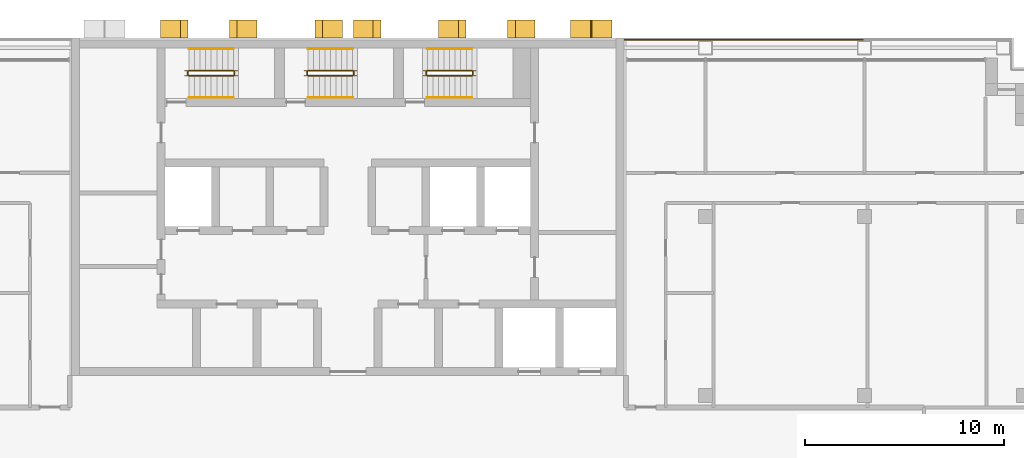
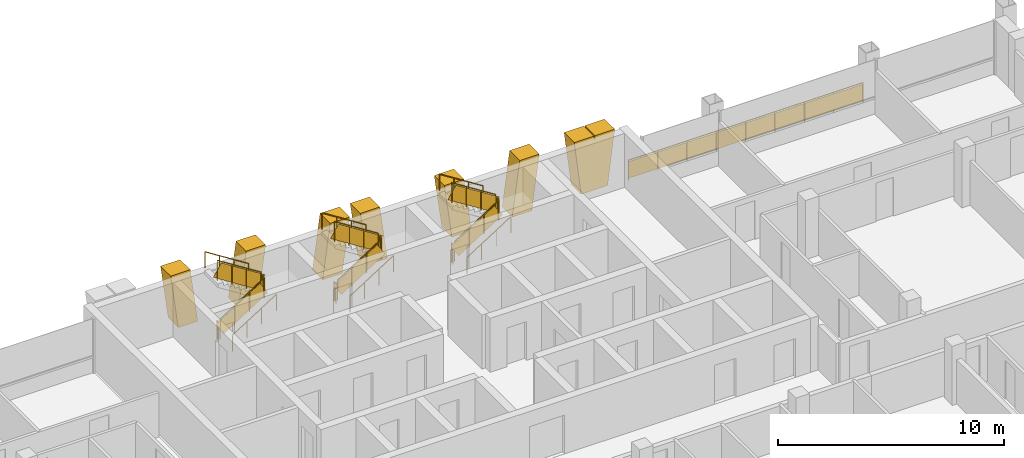
# One storey, part 15 of 16: 19 railings, 7 shading devices.
"""IFC4 building model written with IfcOpenShell, lengths in metres."""

from ifc_helpers import new_model, si_unit, direction, frame, origin, origin_2d, place, context, subcontext, project, spatial, polyline, rectangle, circle, outline, extrude, material, layer, layer_set, type_object, element, save


model = new_model("IFC4")

# Units and contexts
model_context = context("Model", 3, precision=1e-05, world=origin(), true_north=direction((0.0, 1.0)))
body_context = subcontext(model_context, "Body", "Model", "MODEL_VIEW")
ifc_project = project(units=[si_unit("LENGTHUNIT", "METRE"), si_unit("AREAUNIT", "SQUARE_METRE"), si_unit("VOLUMEUNIT", "CUBIC_METRE"), si_unit("PLANEANGLEUNIT", "RADIAN"), si_unit("MASSUNIT", "GRAM", prefix="KILO")], contexts=[model_context])

# Site, building, storey
site_placement = place(None, origin())
site = spatial("IfcSite", under=ifc_project, at=site_placement, CompositionType="ELEMENT")
building_placement = place(site_placement, origin())
building = spatial("IfcBuilding", under=site, at=building_placement, Name="Vidyagriha Tower", CompositionType="ELEMENT")
storey_placement = place(building_placement, frame((0.0, 0.0, 178.10009765625)))
storey = spatial("IfcBuildingStorey", under=building, at=storey_placement, Name="L46", CompositionType="ELEMENT", Elevation=178.10009765625)

# Shading devices
ifc_material_1 = material(Name="Precast concrete C40/50 with brick facing", Category="concrete")
ifc_layer_1 = layer(ifc_material_1, 1.0)
ifc_layer_set_1 = layer_set([ifc_layer_1], Name="Precast concrete C40/50 with brick facing")
shading_device_type_1 = type_object("IfcShadingDeviceType", Name="Brick-faced rear rib arm leaning 8 degrees", PredefinedType="USERDEFINED", material=ifc_layer_set_1)
shading_device_1_placement = place(storey_placement, frame((5.95703125, 20.449951171875, 0.0), z_axis=(0.0, 0.0, 1.0), x_axis=(-1.0, 0.0, 0.0)))
element("IfcShadingDevice", 1, at=shading_device_1_placement, inside=storey, type_object=shading_device_type_1, Name="Rear rib arm L46 R08.2a", ObjectType="BLADE FIN", PredefinedType="USERDEFINED", context=body_context, shape_type="SweptSolid", body=[
    extrude(outline(polyline([(0.0, 0.0), (1.0, 0.0), (1.3857421875, 2.919921875), (0.3857421875, 2.919921875), (0.0, 0.0)])), frame((0.0, 0.449951171875, 0.0), z_axis=(0.0, -1.0, 0.0), x_axis=(1.0, 0.0, 0.0)), (0.0, 0.0, 1.0), 0.89990234375),
])
shading_device_2_placement = place(storey_placement, frame((9.4287109375, 20.449951171875, 0.0), z_axis=(0.0, 0.0, 1.0), x_axis=(-1.0, 0.0, 0.0)))
element("IfcShadingDevice", 2, at=shading_device_2_placement, inside=storey, type_object=shading_device_type_1, Name="Rear rib arm L46 R08.2b", ObjectType="BLADE FIN", PredefinedType="USERDEFINED", context=body_context, shape_type="SweptSolid", body=[
    extrude(outline(polyline([(0.3857421875, 0.0), (1.3857421875, 0.0), (1.0, 2.919921875), (0.0, 2.919921875), (0.3857421875, 0.0)])), frame((0.0, 0.449951171875, 0.0), z_axis=(0.0, -1.0, 0.0), x_axis=(1.0, 0.0, 0.0)), (0.0, 0.0, 1.0), 0.89990234375),
])
shading_device_3_placement = place(storey_placement, frame((1.656982421875, 20.449951171875, 0.0), z_axis=(0.0, 0.0, 1.0), x_axis=(-1.0, 0.0, 0.0)))
element("IfcShadingDevice", 3, at=shading_device_3_placement, inside=storey, type_object=shading_device_type_1, Name="Rear rib arm L46 R08.3a", ObjectType="BLADE FIN", PredefinedType="USERDEFINED", context=body_context, shape_type="SweptSolid", body=[
    extrude(outline(polyline([(0.0, 0.0), (1.0, 0.0), (1.3857421875, 2.919921875), (0.3857421875, 2.919921875), (0.0, 0.0)])), frame((0.0, 0.449951171875, 0.0), z_axis=(0.0, -1.0, 0.0), x_axis=(1.0, 0.0, 0.0)), (0.0, 0.0, 1.0), 0.89990234375),
])
shading_device_4_placement = place(storey_placement, frame((-0.271484375, 20.449951171875, 0.0), z_axis=(0.0, 0.0, 1.0), x_axis=(-1.0, 0.0, 0.0)))
element("IfcShadingDevice", 4, at=shading_device_4_placement, inside=storey, type_object=shading_device_type_1, Name="Rear rib arm L46 R08.3b", ObjectType="BLADE FIN", PredefinedType="USERDEFINED", context=body_context, shape_type="SweptSolid", body=[
    extrude(outline(polyline([(0.3857421875, 0.0), (1.3857421875, 0.0), (1.0, 2.919921875), (0.0, 2.919921875), (0.3857421875, 0.0)])), frame((0.0, 0.449951171875, 0.0), z_axis=(0.0, -1.0, 0.0), x_axis=(1.0, 0.0, 0.0)), (0.0, 0.0, 1.0), 0.89990234375),
])
shading_device_5_placement = place(storey_placement, frame((-8.04296875, 20.449951171875, 0.0), z_axis=(0.0, 0.0, 1.0), x_axis=(-1.0, 0.0, 0.0)))
element("IfcShadingDevice", 5, at=shading_device_5_placement, inside=storey, type_object=shading_device_type_1, Name="Rear rib arm L46 R08.4a", ObjectType="BLADE FIN", PredefinedType="USERDEFINED", context=body_context, shape_type="SweptSolid", body=[
    extrude(outline(polyline([(0.0, 0.0), (1.0, 0.0), (1.3857421875, 2.919921875), (0.3857421875, 2.919921875), (0.0, 0.0)])), frame((0.0, 0.449951171875, 0.0), z_axis=(0.0, -1.0, 0.0), x_axis=(1.0, 0.0, 0.0)), (0.0, 0.0, 1.0), 0.89990234375),
])
shading_device_6_placement = place(storey_placement, frame((-4.5712890625, 20.449951171875, 0.0), z_axis=(0.0, 0.0, 1.0), x_axis=(-1.0, 0.0, 0.0)))
element("IfcShadingDevice", 6, at=shading_device_6_placement, inside=storey, type_object=shading_device_type_1, Name="Rear rib arm L46 R08.4b", ObjectType="BLADE FIN", PredefinedType="USERDEFINED", context=body_context, shape_type="SweptSolid", body=[
    extrude(outline(polyline([(0.3857421875, 0.0), (1.3857421875, 0.0), (1.0, 2.919921875), (0.0, 2.919921875), (0.3857421875, 0.0)])), frame((0.0, 0.449951171875, 0.0), z_axis=(0.0, -1.0, 0.0), x_axis=(1.0, 0.0, 0.0)), (0.0, 0.0, 1.0), 0.89990234375),
])
ifc_material_2 = material(Name="Precast concrete C40/50 with brick facing", Category="concrete")
ifc_layer_2 = layer(ifc_material_2, 1.0)
ifc_layer_set_2 = layer_set([ifc_layer_2], Name="Precast concrete C40/50 with brick facing")
shading_device_type_2 = type_object("IfcShadingDeviceType", Name="Brick-faced rear rib forking 8 degrees", PredefinedType="USERDEFINED", material=ifc_layer_set_2)
shading_device_7_placement = place(storey_placement, frame((13.28564453125, 20.449951171875, 0.0), z_axis=(0.0, 0.0, 1.0), x_axis=(-1.0, 0.0, 0.0)))
element("IfcShadingDevice", 7, at=shading_device_7_placement, inside=storey, type_object=shading_device_type_2, Name="Rear rib fork L46 R08.1a", ObjectType="BLADE FIN", PredefinedType="USERDEFINED", context=body_context, shape_type="SweptSolid", body=[
    extrude(outline(polyline([(0.357177734375, 0.0), (1.71435546875, 0.0), (2.0712890625, 2.919921875), (1.0712890625, 2.919921875), (1.03564453125, 2.6279296875), (1.0, 2.919921875), (0.0, 2.919921875), (0.357177734375, 0.0)])), frame((0.0, 0.449951171875, 0.0), z_axis=(0.0, -1.0, 0.0), x_axis=(1.0, 0.0, 0.0)), (0.0, 0.0, 1.0), 0.89990234375),
])

# Railings
ifc_material_3 = material(Name="Steel ASTM A500 Grade C black painted", Category="steel")
railing_type_1 = type_object("IfcRailingType", Name="Gallery guard 1100", PredefinedType="GUARDRAIL", material=ifc_material_3)
railing_1_placement = place(storey_placement, frame((13.929931640625, 19.89990234375, 0.0)))
element("IfcRailing", 8, at=railing_1_placement, inside=storey, type_object=railing_type_1, Name="Gallery guard L46 6", PredefinedType="GUARDRAIL", context=body_context, shape_type="SweptSolid", body=[
    extrude(circle(Radius=0.02490234375, at=origin_2d()), frame((0.0, 0.0, 1.0751953125), z_axis=(1.0, 0.0, 0.0), x_axis=(0.0, 1.0, 0.0)), (0.0, 0.0, 1.0), 12.0),
    extrude(circle(Radius=0.02001953125, at=origin_2d()), origin(), (0.0, 0.0, 1.0), 1.050048828125),
    extrude(circle(Radius=0.02001953125, at=origin_2d()), frame((1.5, 0.0, 0.0)), (0.0, 0.0, 1.0), 1.050048828125),
    extrude(circle(Radius=0.02001953125, at=origin_2d()), frame((3.0, 0.0, 0.0)), (0.0, 0.0, 1.0), 1.050048828125),
    extrude(circle(Radius=0.02001953125, at=origin_2d()), frame((4.5, 0.0, 0.0)), (0.0, 0.0, 1.0), 1.050048828125),
    extrude(circle(Radius=0.02001953125, at=origin_2d()), frame((6.0, 0.0, 0.0)), (0.0, 0.0, 1.0), 1.050048828125),
    extrude(circle(Radius=0.02001953125, at=origin_2d()), frame((7.5, 0.0, 0.0)), (0.0, 0.0, 1.0), 1.050048828125),
    extrude(circle(Radius=0.02001953125, at=origin_2d()), frame((9.0, 0.0, 0.0)), (0.0, 0.0, 1.0), 1.050048828125),
    extrude(circle(Radius=0.02001953125, at=origin_2d()), frame((10.5, 0.0, 0.0)), (0.0, 0.0, 1.0), 1.050048828125),
    extrude(circle(Radius=0.02001953125, at=origin_2d()), frame((12.0, 0.0, 0.0)), (0.0, 0.0, 1.0), 1.050048828125),
    extrude(rectangle(XDim=0.010009765625, YDim=0.900146484375, at=origin_2d()), frame((0.0, 0.0, 0.550048828125), z_axis=(1.0, 0.0, 0.0), x_axis=(0.0, 1.0, 0.0)), (0.0, 0.0, 1.0), 12.0),
])
ifc_material_4 = material(Name="Steel ASTM A500 Grade C", Category="steel")
railing_type_2 = type_object("IfcRailingType", Name="Stair guard 1100 mm, steel balustrade", PredefinedType="GUARDRAIL", material=ifc_material_4)
railing_2_placement = place(storey_placement, frame((-8.0, 18.10009765625, 0.177734375)))
element("IfcRailing", 9, at=railing_2_placement, inside=storey, type_object=railing_type_2, Name="L46 ST1 stair guard 1", PredefinedType="GUARDRAIL", context=body_context, shape_type="SweptSolid", body=[
    extrude(circle(Radius=0.02392578125, at=origin_2d()), frame((0.0, 0.0, 1.076171875), z_axis=(0.8442293374, 0.0, 0.53598211339), x_axis=(0.0, 1.0, 0.0)), (0.0, 0.0, 1.0), 2.6533203125),
    extrude(circle(Radius=0.02099609375, at=origin_2d()), origin(), (0.0, 0.0, 1.0), 1.052001953125),
    extrude(circle(Radius=0.02099609375, at=origin_2d()), frame((0.74658203125, 0.0, 0.47412109375)), (0.0, 0.0, 1.0), 1.052001953125),
    extrude(circle(Radius=0.02099609375, at=origin_2d()), frame((1.493408203125, 0.0, 0.947998046875)), (0.0, 0.0, 1.0), 1.052001953125),
    extrude(circle(Radius=0.02099609375, at=origin_2d()), frame((2.239990234375, 0.0, 1.422119140625)), (0.0, 0.0, 1.0), 1.052001953125),
    extrude(rectangle(XDim=0.010009765625, YDim=0.761474609375, at=origin_2d()), frame((0.0, 0.0, 0.551025390625), z_axis=(0.8442293374, 0.0, 0.53598211339), x_axis=(0.0, 1.0, 0.0)), (0.0, 0.0, 1.0), 2.6533203125),
])
railing_3_placement = place(storey_placement, frame((-5.7099609375, 18.14990234375, 1.599853515625)))
element("IfcRailing", 10, at=railing_3_placement, inside=storey, type_object=railing_type_2, Name="L46 ST1 stair guard 2", PredefinedType="GUARDRAIL", context=body_context, shape_type="SweptSolid", body=[
    extrude(circle(Radius=0.02392578125, at=origin_2d()), frame((0.0, 0.0, 1.076171875), z_axis=(0.0, 1.0, 0.0), x_axis=(-1.0, 0.0, 0.0)), (0.0, 0.0, 1.0), 0.150146484375),
    extrude(circle(Radius=0.02099609375, at=origin_2d()), origin(), (0.0, 0.0, 1.0), 1.052001953125),
    extrude(circle(Radius=0.02099609375, at=origin_2d()), frame((0.0, 0.150146484375, 0.0)), (0.0, 0.0, 1.0), 1.052001953125),
    extrude(rectangle(XDim=0.010009765625, YDim=0.902099609375, at=origin_2d()), frame((0.0, 0.0, 0.551025390625), z_axis=(0.0, 1.0, 0.0), x_axis=(-1.0, 0.0, 0.0)), (0.0, 0.0, 1.0), 0.150146484375),
])
railing_4_placement = place(storey_placement, frame((-5.760009765625, 18.35009765625, 1.777587890625)))
element("IfcRailing", 11, at=railing_4_placement, inside=storey, type_object=railing_type_2, Name="L46 ST1 stair guard 3", PredefinedType="GUARDRAIL", context=body_context, shape_type="SweptSolid", body=[
    extrude(circle(Radius=0.02392578125, at=origin_2d()), frame((0.0, 0.0, 1.076171875), z_axis=(-0.84418770128, 0.0, 0.536047689118), x_axis=(0.0, -1.0, 0.0)), (0.0, 0.0, 1.0), 2.6533203125),
    extrude(circle(Radius=0.02099609375, at=origin_2d()), origin(), (0.0, 0.0, 1.0), 1.052001953125),
    extrude(circle(Radius=0.02099609375, at=origin_2d()), frame((-0.74658203125, 0.0, 0.47412109375)), (0.0, 0.0, 1.0), 1.052001953125),
    extrude(circle(Radius=0.02099609375, at=origin_2d()), frame((-1.493408203125, 0.0, 0.9482421875)), (0.0, 0.0, 1.0), 1.052001953125),
    extrude(circle(Radius=0.02099609375, at=origin_2d()), frame((-2.239990234375, 0.0, 1.42236328125)), (0.0, 0.0, 1.0), 1.052001953125),
    extrude(rectangle(XDim=0.010009765625, YDim=0.761474609375, at=origin_2d()), frame((0.0, 0.0, 0.551025390625), z_axis=(-0.84418770128, 0.0, 0.536047689118), x_axis=(0.0, -1.0, 0.0)), (0.0, 0.0, 1.0), 2.6533203125),
])
railing_5_placement = place(storey_placement, frame((-8.050048828125, 18.14990234375, 0.0)))
element("IfcRailing", 12, at=railing_5_placement, inside=storey, type_object=railing_type_2, Name="L46 ST1 stair guard 4", PredefinedType="GUARDRAIL", context=body_context, shape_type="SweptSolid", body=[
    extrude(circle(Radius=0.02392578125, at=origin_2d()), frame((0.0, 0.0, 1.076171875), z_axis=(0.0, 1.0, 0.0), x_axis=(-1.0, 0.0, 0.0)), (0.0, 0.0, 1.0), 0.150146484375),
    extrude(circle(Radius=0.02099609375, at=origin_2d()), origin(), (0.0, 0.0, 1.0), 1.052001953125),
    extrude(circle(Radius=0.02099609375, at=origin_2d()), frame((0.0, 0.150146484375, 0.0)), (0.0, 0.0, 1.0), 1.052001953125),
    extrude(rectangle(XDim=0.010009765625, YDim=0.902099609375, at=origin_2d()), frame((0.0, 0.0, 0.551025390625), z_axis=(0.0, 1.0, 0.0), x_axis=(-1.0, 0.0, 0.0)), (0.0, 0.0, 1.0), 0.150146484375),
])
railing_6_placement = place(storey_placement, frame((-2.0, 18.10009765625, 0.177734375)))
element("IfcRailing", 13, at=railing_6_placement, inside=storey, type_object=railing_type_2, Name="L46 ST2 stair guard 1", PredefinedType="GUARDRAIL", context=body_context, shape_type="SweptSolid", body=[
    extrude(circle(Radius=0.02392578125, at=origin_2d()), frame((0.0, 0.0, 1.076171875), z_axis=(0.8442293374, 0.0, 0.53598211339), x_axis=(0.0, 1.0, 0.0)), (0.0, 0.0, 1.0), 2.6533203125),
    extrude(circle(Radius=0.02099609375, at=origin_2d()), origin(), (0.0, 0.0, 1.0), 1.052001953125),
    extrude(circle(Radius=0.02099609375, at=origin_2d()), frame((0.74658203125, 0.0, 0.47412109375)), (0.0, 0.0, 1.0), 1.052001953125),
    extrude(circle(Radius=0.02099609375, at=origin_2d()), frame((1.493408203125, 0.0, 0.947998046875)), (0.0, 0.0, 1.0), 1.052001953125),
    extrude(circle(Radius=0.02099609375, at=origin_2d()), frame((2.239990234375, 0.0, 1.422119140625)), (0.0, 0.0, 1.0), 1.052001953125),
    extrude(rectangle(XDim=0.010009765625, YDim=0.761474609375, at=origin_2d()), frame((0.0, 0.0, 0.551025390625), z_axis=(0.8442293374, 0.0, 0.53598211339), x_axis=(0.0, 1.0, 0.0)), (0.0, 0.0, 1.0), 2.6533203125),
])
railing_7_placement = place(storey_placement, frame((0.2900390625, 18.14990234375, 1.599853515625)))
element("IfcRailing", 14, at=railing_7_placement, inside=storey, type_object=railing_type_2, Name="L46 ST2 stair guard 2", PredefinedType="GUARDRAIL", context=body_context, shape_type="SweptSolid", body=[
    extrude(circle(Radius=0.02392578125, at=origin_2d()), frame((0.0, 0.0, 1.076171875), z_axis=(0.0, 1.0, 0.0), x_axis=(-1.0, 0.0, 0.0)), (0.0, 0.0, 1.0), 0.150146484375),
    extrude(circle(Radius=0.02099609375, at=origin_2d()), origin(), (0.0, 0.0, 1.0), 1.052001953125),
    extrude(circle(Radius=0.02099609375, at=origin_2d()), frame((0.0, 0.150146484375, 0.0)), (0.0, 0.0, 1.0), 1.052001953125),
    extrude(rectangle(XDim=0.010009765625, YDim=0.902099609375, at=origin_2d()), frame((0.0, 0.0, 0.551025390625), z_axis=(0.0, 1.0, 0.0), x_axis=(-1.0, 0.0, 0.0)), (0.0, 0.0, 1.0), 0.150146484375),
])
railing_8_placement = place(storey_placement, frame((0.239990234375, 18.35009765625, 1.777587890625)))
element("IfcRailing", 15, at=railing_8_placement, inside=storey, type_object=railing_type_2, Name="L46 ST2 stair guard 3", PredefinedType="GUARDRAIL", context=body_context, shape_type="SweptSolid", body=[
    extrude(circle(Radius=0.02392578125, at=origin_2d()), frame((0.0, 0.0, 1.076171875), z_axis=(-0.84418770128, 0.0, 0.536047689118), x_axis=(0.0, -1.0, 0.0)), (0.0, 0.0, 1.0), 2.6533203125),
    extrude(circle(Radius=0.02099609375, at=origin_2d()), origin(), (0.0, 0.0, 1.0), 1.052001953125),
    extrude(circle(Radius=0.02099609375, at=origin_2d()), frame((-0.74658203125, 0.0, 0.47412109375)), (0.0, 0.0, 1.0), 1.052001953125),
    extrude(circle(Radius=0.02099609375, at=origin_2d()), frame((-1.493408203125, 0.0, 0.9482421875)), (0.0, 0.0, 1.0), 1.052001953125),
    extrude(circle(Radius=0.02099609375, at=origin_2d()), frame((-2.239990234375, 0.0, 1.42236328125)), (0.0, 0.0, 1.0), 1.052001953125),
    extrude(rectangle(XDim=0.010009765625, YDim=0.761474609375, at=origin_2d()), frame((0.0, 0.0, 0.551025390625), z_axis=(-0.84418770128, 0.0, 0.536047689118), x_axis=(0.0, -1.0, 0.0)), (0.0, 0.0, 1.0), 2.6533203125),
])
railing_9_placement = place(storey_placement, frame((-2.050048828125, 18.14990234375, 0.0)))
element("IfcRailing", 16, at=railing_9_placement, inside=storey, type_object=railing_type_2, Name="L46 ST2 stair guard 4", PredefinedType="GUARDRAIL", context=body_context, shape_type="SweptSolid", body=[
    extrude(circle(Radius=0.02392578125, at=origin_2d()), frame((0.0, 0.0, 1.076171875), z_axis=(0.0, 1.0, 0.0), x_axis=(-1.0, 0.0, 0.0)), (0.0, 0.0, 1.0), 0.150146484375),
    extrude(circle(Radius=0.02099609375, at=origin_2d()), origin(), (0.0, 0.0, 1.0), 1.052001953125),
    extrude(circle(Radius=0.02099609375, at=origin_2d()), frame((0.0, 0.150146484375, 0.0)), (0.0, 0.0, 1.0), 1.052001953125),
    extrude(rectangle(XDim=0.010009765625, YDim=0.902099609375, at=origin_2d()), frame((0.0, 0.0, 0.551025390625), z_axis=(0.0, 1.0, 0.0), x_axis=(-1.0, 0.0, 0.0)), (0.0, 0.0, 1.0), 0.150146484375),
])
railing_10_placement = place(storey_placement, frame((4.0, 18.10009765625, 0.177734375)))
element("IfcRailing", 17, at=railing_10_placement, inside=storey, type_object=railing_type_2, Name="L46 ST3 stair guard 1", PredefinedType="GUARDRAIL", context=body_context, shape_type="SweptSolid", body=[
    extrude(circle(Radius=0.02392578125, at=origin_2d()), frame((0.0, 0.0, 1.076171875), z_axis=(0.8442293374, 0.0, 0.53598211339), x_axis=(0.0, 1.0, 0.0)), (0.0, 0.0, 1.0), 2.6533203125),
    extrude(circle(Radius=0.02099609375, at=origin_2d()), origin(), (0.0, 0.0, 1.0), 1.052001953125),
    extrude(circle(Radius=0.02099609375, at=origin_2d()), frame((0.74658203125, 0.0, 0.47412109375)), (0.0, 0.0, 1.0), 1.052001953125),
    extrude(circle(Radius=0.02099609375, at=origin_2d()), frame((1.493408203125, 0.0, 0.947998046875)), (0.0, 0.0, 1.0), 1.052001953125),
    extrude(circle(Radius=0.02099609375, at=origin_2d()), frame((2.239990234375, 0.0, 1.422119140625)), (0.0, 0.0, 1.0), 1.052001953125),
    extrude(rectangle(XDim=0.010009765625, YDim=0.761474609375, at=origin_2d()), frame((0.0, 0.0, 0.551025390625), z_axis=(0.8442293374, 0.0, 0.53598211339), x_axis=(0.0, 1.0, 0.0)), (0.0, 0.0, 1.0), 2.6533203125),
])
railing_11_placement = place(storey_placement, frame((6.2900390625, 18.14990234375, 1.599853515625)))
element("IfcRailing", 18, at=railing_11_placement, inside=storey, type_object=railing_type_2, Name="L46 ST3 stair guard 2", PredefinedType="GUARDRAIL", context=body_context, shape_type="SweptSolid", body=[
    extrude(circle(Radius=0.02392578125, at=origin_2d()), frame((0.0, 0.0, 1.076171875), z_axis=(0.0, 1.0, 0.0), x_axis=(-1.0, 0.0, 0.0)), (0.0, 0.0, 1.0), 0.150146484375),
    extrude(circle(Radius=0.02099609375, at=origin_2d()), origin(), (0.0, 0.0, 1.0), 1.052001953125),
    extrude(circle(Radius=0.02099609375, at=origin_2d()), frame((0.0, 0.150146484375, 0.0)), (0.0, 0.0, 1.0), 1.052001953125),
    extrude(rectangle(XDim=0.010009765625, YDim=0.902099609375, at=origin_2d()), frame((0.0, 0.0, 0.551025390625), z_axis=(0.0, 1.0, 0.0), x_axis=(-1.0, 0.0, 0.0)), (0.0, 0.0, 1.0), 0.150146484375),
])
railing_12_placement = place(storey_placement, frame((6.239990234375, 18.35009765625, 1.777587890625)))
element("IfcRailing", 19, at=railing_12_placement, inside=storey, type_object=railing_type_2, Name="L46 ST3 stair guard 3", PredefinedType="GUARDRAIL", context=body_context, shape_type="SweptSolid", body=[
    extrude(circle(Radius=0.02392578125, at=origin_2d()), frame((0.0, 0.0, 1.076171875), z_axis=(-0.84418770128, 0.0, 0.536047689118), x_axis=(0.0, -1.0, 0.0)), (0.0, 0.0, 1.0), 2.6533203125),
    extrude(circle(Radius=0.02099609375, at=origin_2d()), origin(), (0.0, 0.0, 1.0), 1.052001953125),
    extrude(circle(Radius=0.02099609375, at=origin_2d()), frame((-0.74658203125, 0.0, 0.47412109375)), (0.0, 0.0, 1.0), 1.052001953125),
    extrude(circle(Radius=0.02099609375, at=origin_2d()), frame((-1.493408203125, 0.0, 0.9482421875)), (0.0, 0.0, 1.0), 1.052001953125),
    extrude(circle(Radius=0.02099609375, at=origin_2d()), frame((-2.239990234375, 0.0, 1.42236328125)), (0.0, 0.0, 1.0), 1.052001953125),
    extrude(rectangle(XDim=0.010009765625, YDim=0.761474609375, at=origin_2d()), frame((0.0, 0.0, 0.551025390625), z_axis=(-0.84418770128, 0.0, 0.536047689118), x_axis=(0.0, -1.0, 0.0)), (0.0, 0.0, 1.0), 2.6533203125),
])
railing_13_placement = place(storey_placement, frame((3.949951171875, 18.14990234375, 0.0)))
element("IfcRailing", 20, at=railing_13_placement, inside=storey, type_object=railing_type_2, Name="L46 ST3 stair guard 4", PredefinedType="GUARDRAIL", context=body_context, shape_type="SweptSolid", body=[
    extrude(circle(Radius=0.02392578125, at=origin_2d()), frame((0.0, 0.0, 1.076171875), z_axis=(0.0, 1.0, 0.0), x_axis=(-1.0, 0.0, 0.0)), (0.0, 0.0, 1.0), 0.150146484375),
    extrude(circle(Radius=0.02099609375, at=origin_2d()), origin(), (0.0, 0.0, 1.0), 1.052001953125),
    extrude(circle(Radius=0.02099609375, at=origin_2d()), frame((0.0, 0.150146484375, 0.0)), (0.0, 0.0, 1.0), 1.052001953125),
    extrude(rectangle(XDim=0.010009765625, YDim=0.902099609375, at=origin_2d()), frame((0.0, 0.0, 0.551025390625), z_axis=(0.0, 1.0, 0.0), x_axis=(-1.0, 0.0, 0.0)), (0.0, 0.0, 1.0), 0.150146484375),
])
ifc_material_5 = material(Name="Steel ASTM A500 Grade C", Category="steel")
railing_type_3 = type_object("IfcRailingType", Name="Stair handrail 900 mm, steel", PredefinedType="HANDRAIL", material=ifc_material_5)
railing_14_placement = place(storey_placement, frame((-8.0, 17.0, 0.177734375)))
element("IfcRailing", 21, at=railing_14_placement, inside=storey, type_object=railing_type_3, Name="L46 ST1 stair handrail 1", PredefinedType="HANDRAIL", context=body_context, shape_type="SweptSolid", body=[
    extrude(circle(Radius=0.02392578125, at=origin_2d()), frame((0.0, 0.0, 0.8759765625), z_axis=(0.8442293374, 0.0, 0.53598211339), x_axis=(0.0, 1.0, 0.0)), (0.0, 0.0, 1.0), 2.6533203125),
    extrude(circle(Radius=0.02099609375, at=origin_2d()), origin(), (0.0, 0.0, 1.0), 0.851806640625),
    extrude(circle(Radius=0.02099609375, at=origin_2d()), frame((0.74658203125, 0.0, 0.47412109375)), (0.0, 0.0, 1.0), 0.851806640625),
    extrude(circle(Radius=0.02099609375, at=origin_2d()), frame((1.493408203125, 0.0, 0.947998046875)), (0.0, 0.0, 1.0), 0.851806640625),
    extrude(circle(Radius=0.02099609375, at=origin_2d()), frame((2.239990234375, 0.0, 1.422119140625)), (0.0, 0.0, 1.0), 0.851806640625),
])
railing_15_placement = place(storey_placement, frame((-5.760009765625, 19.449951171875, 1.777587890625)))
element("IfcRailing", 22, at=railing_15_placement, inside=storey, type_object=railing_type_3, Name="L46 ST1 stair handrail 2", PredefinedType="HANDRAIL", context=body_context, shape_type="SweptSolid", body=[
    extrude(circle(Radius=0.02392578125, at=origin_2d()), frame((0.0, 0.0, 0.8759765625), z_axis=(-0.84418770128, 0.0, 0.536047689118), x_axis=(0.0, -1.0, 0.0)), (0.0, 0.0, 1.0), 2.6533203125),
    extrude(circle(Radius=0.02099609375, at=origin_2d()), origin(), (0.0, 0.0, 1.0), 0.851806640625),
    extrude(circle(Radius=0.02099609375, at=origin_2d()), frame((-0.74658203125, 0.0, 0.47412109375)), (0.0, 0.0, 1.0), 0.851806640625),
    extrude(circle(Radius=0.02099609375, at=origin_2d()), frame((-1.493408203125, 0.0, 0.9482421875)), (0.0, 0.0, 1.0), 0.851806640625),
    extrude(circle(Radius=0.02099609375, at=origin_2d()), frame((-2.239990234375, 0.0, 1.42236328125)), (0.0, 0.0, 1.0), 0.851806640625),
])
railing_16_placement = place(storey_placement, frame((-2.0, 17.0, 0.177734375)))
element("IfcRailing", 23, at=railing_16_placement, inside=storey, type_object=railing_type_3, Name="L46 ST2 stair handrail 1", PredefinedType="HANDRAIL", context=body_context, shape_type="SweptSolid", body=[
    extrude(circle(Radius=0.02392578125, at=origin_2d()), frame((0.0, 0.0, 0.8759765625), z_axis=(0.8442293374, 0.0, 0.53598211339), x_axis=(0.0, 1.0, 0.0)), (0.0, 0.0, 1.0), 2.6533203125),
    extrude(circle(Radius=0.02099609375, at=origin_2d()), origin(), (0.0, 0.0, 1.0), 0.851806640625),
    extrude(circle(Radius=0.02099609375, at=origin_2d()), frame((0.74658203125, 0.0, 0.47412109375)), (0.0, 0.0, 1.0), 0.851806640625),
    extrude(circle(Radius=0.02099609375, at=origin_2d()), frame((1.493408203125, 0.0, 0.947998046875)), (0.0, 0.0, 1.0), 0.851806640625),
    extrude(circle(Radius=0.02099609375, at=origin_2d()), frame((2.239990234375, 0.0, 1.422119140625)), (0.0, 0.0, 1.0), 0.851806640625),
])
railing_17_placement = place(storey_placement, frame((0.239990234375, 19.449951171875, 1.777587890625)))
element("IfcRailing", 24, at=railing_17_placement, inside=storey, type_object=railing_type_3, Name="L46 ST2 stair handrail 2", PredefinedType="HANDRAIL", context=body_context, shape_type="SweptSolid", body=[
    extrude(circle(Radius=0.02392578125, at=origin_2d()), frame((0.0, 0.0, 0.8759765625), z_axis=(-0.84418770128, 0.0, 0.536047689118), x_axis=(0.0, -1.0, 0.0)), (0.0, 0.0, 1.0), 2.6533203125),
    extrude(circle(Radius=0.02099609375, at=origin_2d()), origin(), (0.0, 0.0, 1.0), 0.851806640625),
    extrude(circle(Radius=0.02099609375, at=origin_2d()), frame((-0.74658203125, 0.0, 0.47412109375)), (0.0, 0.0, 1.0), 0.851806640625),
    extrude(circle(Radius=0.02099609375, at=origin_2d()), frame((-1.493408203125, 0.0, 0.9482421875)), (0.0, 0.0, 1.0), 0.851806640625),
    extrude(circle(Radius=0.02099609375, at=origin_2d()), frame((-2.239990234375, 0.0, 1.42236328125)), (0.0, 0.0, 1.0), 0.851806640625),
])
railing_18_placement = place(storey_placement, frame((4.0, 17.0, 0.177734375)))
element("IfcRailing", 25, at=railing_18_placement, inside=storey, type_object=railing_type_3, Name="L46 ST3 stair handrail 1", PredefinedType="HANDRAIL", context=body_context, shape_type="SweptSolid", body=[
    extrude(circle(Radius=0.02392578125, at=origin_2d()), frame((0.0, 0.0, 0.8759765625), z_axis=(0.8442293374, 0.0, 0.53598211339), x_axis=(0.0, 1.0, 0.0)), (0.0, 0.0, 1.0), 2.6533203125),
    extrude(circle(Radius=0.02099609375, at=origin_2d()), origin(), (0.0, 0.0, 1.0), 0.851806640625),
    extrude(circle(Radius=0.02099609375, at=origin_2d()), frame((0.74658203125, 0.0, 0.47412109375)), (0.0, 0.0, 1.0), 0.851806640625),
    extrude(circle(Radius=0.02099609375, at=origin_2d()), frame((1.493408203125, 0.0, 0.947998046875)), (0.0, 0.0, 1.0), 0.851806640625),
    extrude(circle(Radius=0.02099609375, at=origin_2d()), frame((2.239990234375, 0.0, 1.422119140625)), (0.0, 0.0, 1.0), 0.851806640625),
])
railing_19_placement = place(storey_placement, frame((6.239990234375, 19.449951171875, 1.777587890625)))
element("IfcRailing", 26, at=railing_19_placement, inside=storey, type_object=railing_type_3, Name="L46 ST3 stair handrail 2", PredefinedType="HANDRAIL", context=body_context, shape_type="SweptSolid", body=[
    extrude(circle(Radius=0.02392578125, at=origin_2d()), frame((0.0, 0.0, 0.8759765625), z_axis=(-0.84418770128, 0.0, 0.536047689118), x_axis=(0.0, -1.0, 0.0)), (0.0, 0.0, 1.0), 2.6533203125),
    extrude(circle(Radius=0.02099609375, at=origin_2d()), origin(), (0.0, 0.0, 1.0), 0.851806640625),
    extrude(circle(Radius=0.02099609375, at=origin_2d()), frame((-0.74658203125, 0.0, 0.47412109375)), (0.0, 0.0, 1.0), 0.851806640625),
    extrude(circle(Radius=0.02099609375, at=origin_2d()), frame((-1.493408203125, 0.0, 0.9482421875)), (0.0, 0.0, 1.0), 0.851806640625),
    extrude(circle(Radius=0.02099609375, at=origin_2d()), frame((-2.239990234375, 0.0, 1.42236328125)), (0.0, 0.0, 1.0), 0.851806640625),
])

save(model, "model.ifc")
